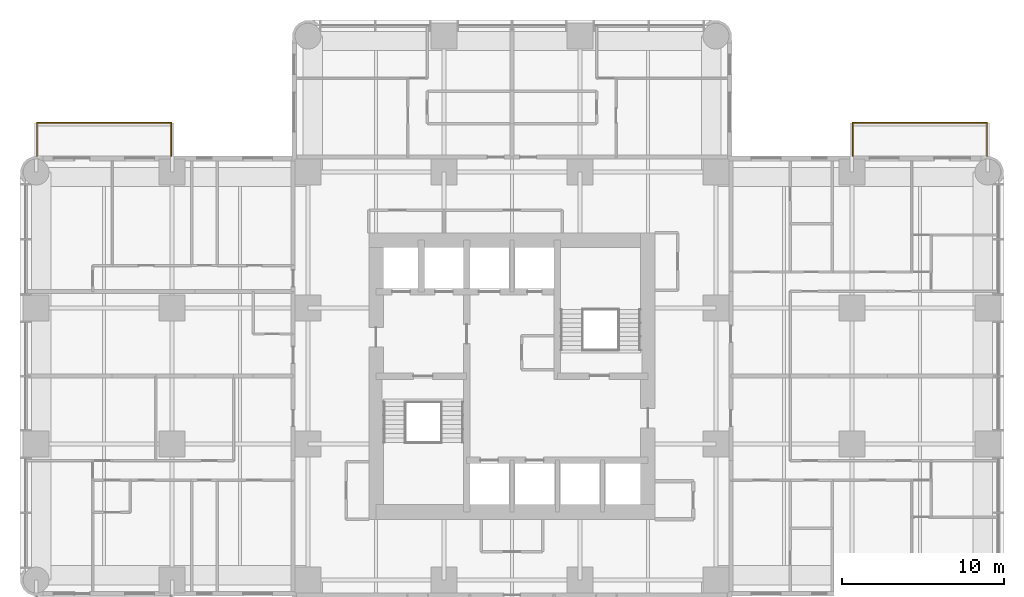
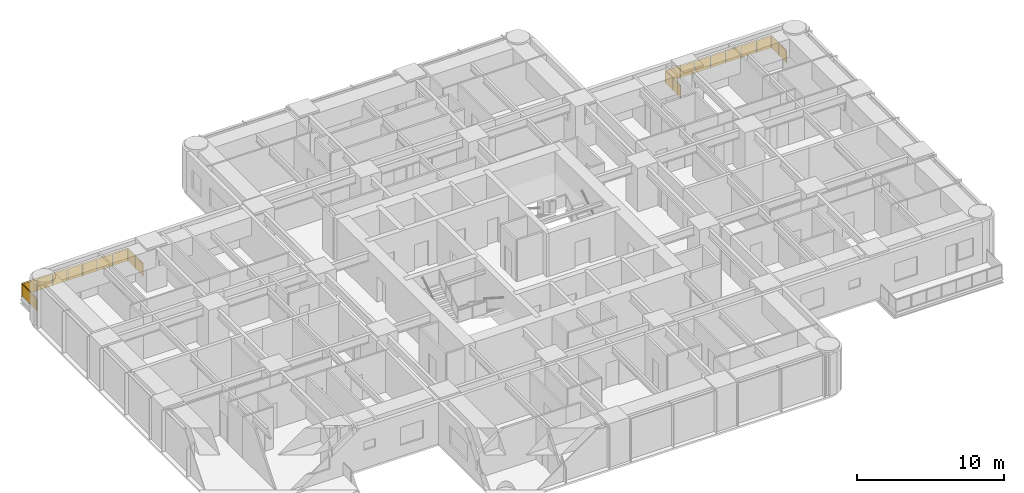
# One storey, part 15 of 15: 2 railings.
"""IFC4 building model written with IfcOpenShell, lengths in metres."""

from ifc_helpers import new_model, si_unit, direction, frame, origin, origin_2d, place, context, subcontext, project, spatial, polyline, circle, outline, extrude, material, constituent, constituent_set, type_object, element, save


model = new_model("IFC4")

# Units and contexts
model_context = context("Model", 3, precision=1e-05, world=origin(), true_north=direction((0.0, 1.0)))
body_context = subcontext(model_context, "Body", "Model", "MODEL_VIEW")
ifc_project = project(units=[si_unit("LENGTHUNIT", "METRE"), si_unit("AREAUNIT", "SQUARE_METRE"), si_unit("VOLUMEUNIT", "CUBIC_METRE"), si_unit("PLANEANGLEUNIT", "RADIAN"), si_unit("MASSUNIT", "GRAM", prefix="KILO")], contexts=[model_context])

# Site, building, storey
site_placement = place(None, origin())
site = spatial("IfcSite", under=ifc_project, at=site_placement, CompositionType="ELEMENT")
building_placement = place(site_placement, origin())
building = spatial("IfcBuilding", under=site, at=building_placement, Name="Torre Alcanfor", CompositionType="ELEMENT")
storey_placement = place(building_placement, frame((0.0, 0.0, 123.300048828125)))
storey = spatial("IfcBuildingStorey", under=building, at=storey_placement, Name="L31", CompositionType="ELEMENT", Elevation=123.300048828125)

# Railings
ifc_material_1 = material(Name="Laminated safety glass", Category="glass")
ifc_constituent_1 = constituent(ifc_material_1, Name="Infill")
ifc_material_2 = material(Name="Stainless steel ASTM A554 Grade MT 316L tube", Category="steel")
ifc_constituent_2 = constituent(ifc_material_2, Name="Posts and rail")
ifc_constituent_set = constituent_set(constituents=[ifc_constituent_1, ifc_constituent_2], Name="Balcony guard glass 1100")
railing_type = type_object("IfcRailingType", Name="Balcony guard glass 1100", PredefinedType="BALUSTRADE", material=ifc_constituent_set)
railing_1_placement = place(storey_placement, frame((50.449951171875, 43.0, 0.0)))
element("IfcRailing", 1, at=railing_1_placement, inside=storey, type_object=railing_type, Name="Balcony guard L31-E1", PredefinedType="BALUSTRADE", context=body_context, shape_type="SweptSolid", body=[
    extrude(circle(Radius=0.02392578125, at=origin_2d()), frame((0.0, 0.0, 1.076171875), z_axis=(0.0, 1.0, 0.0), x_axis=(-1.0, 0.0, 0.0)), (0.0, 0.0, 1.0), 2.050048828125),
    extrude(circle(Radius=0.02392578125, at=origin_2d()), frame((0.0, 2.050048828125, 1.076171875), z_axis=(1.0, 0.0, 0.0), x_axis=(0.0, 1.0, 0.0)), (0.0, 0.0, 1.0), 8.300048828125),
    extrude(circle(Radius=0.02392578125, at=origin_2d()), frame((8.300048828125, 2.050048828125, 1.076171875), z_axis=(0.0, -1.0, 0.0), x_axis=(1.0, 0.0, 0.0)), (0.0, 0.0, 1.0), 2.050048828125),
    extrude(circle(Radius=0.02099609375, at=origin_2d()), origin(), (0.0, 0.0, 1.0), 1.052001953125),
    extrude(circle(Radius=0.02099609375, at=origin_2d()), frame((0.0, 1.02490234375, 0.0)), (0.0, 0.0, 1.0), 1.052001953125),
    extrude(circle(Radius=0.02099609375, at=origin_2d()), frame((0.0, 2.050048828125, 0.0)), (0.0, 0.0, 1.0), 1.052001953125),
    extrude(circle(Radius=0.02099609375, at=origin_2d()), frame((1.185791015625, 2.050048828125, 0.0)), (0.0, 0.0, 1.0), 1.052001953125),
    extrude(circle(Radius=0.02099609375, at=origin_2d()), frame((2.371337890625, 2.050048828125, 0.0)), (0.0, 0.0, 1.0), 1.052001953125),
    extrude(circle(Radius=0.02099609375, at=origin_2d()), frame((3.55712890625, 2.050048828125, 0.0)), (0.0, 0.0, 1.0), 1.052001953125),
    extrude(circle(Radius=0.02099609375, at=origin_2d()), frame((4.742919921875, 2.050048828125, 0.0)), (0.0, 0.0, 1.0), 1.052001953125),
    extrude(circle(Radius=0.02099609375, at=origin_2d()), frame((5.9287109375, 2.050048828125, 0.0)), (0.0, 0.0, 1.0), 1.052001953125),
    extrude(circle(Radius=0.02099609375, at=origin_2d()), frame((7.1142578125, 2.050048828125, 0.0)), (0.0, 0.0, 1.0), 1.052001953125),
    extrude(circle(Radius=0.02099609375, at=origin_2d()), frame((8.300048828125, 2.050048828125, 0.0)), (0.0, 0.0, 1.0), 1.052001953125),
    extrude(circle(Radius=0.02099609375, at=origin_2d()), frame((8.300048828125, 1.02490234375, 0.0)), (0.0, 0.0, 1.0), 1.052001953125),
    extrude(circle(Radius=0.02099609375, at=origin_2d()), frame((8.300048828125, 0.0, 0.0)), (0.0, 0.0, 1.0), 1.052001953125),
    extrude(outline(polyline([(0.041015625, 0.050048828125), (0.984130859375, 0.050048828125), (0.984130859375, 1.001953125), (0.041015625, 1.001953125), (0.041015625, 0.050048828125)])), frame((-0.005859375, 0.0, 0.0), z_axis=(1.0, 0.0, 0.0), x_axis=(0.0, 1.0, 0.0)), (0.0, 0.0, 1.0), 0.011962890625),
    extrude(outline(polyline([(1.06591796875, 0.050048828125), (2.009033203125, 0.050048828125), (2.009033203125, 1.001953125), (1.06591796875, 1.001953125), (1.06591796875, 0.050048828125)])), frame((-0.005859375, 0.0, 0.0), z_axis=(1.0, 0.0, 0.0), x_axis=(0.0, 1.0, 0.0)), (0.0, 0.0, 1.0), 0.011962890625),
    extrude(outline(polyline([(0.041015625, 0.050048828125), (1.144775390625, 0.050048828125), (1.144775390625, 1.001953125), (0.041015625, 1.001953125), (0.041015625, 0.050048828125)])), frame((0.0, 2.05615234375, 0.0), z_axis=(0.0, -1.0, 0.0), x_axis=(1.0, 0.0, 0.0)), (0.0, 0.0, 1.0), 0.011962890625),
    extrude(outline(polyline([(1.226806640625, 0.050048828125), (2.330322265625, 0.050048828125), (2.330322265625, 1.001953125), (1.226806640625, 1.001953125), (1.226806640625, 0.050048828125)])), frame((0.0, 2.05615234375, 0.0), z_axis=(0.0, -1.0, 0.0), x_axis=(1.0, 0.0, 0.0)), (0.0, 0.0, 1.0), 0.011962890625),
    extrude(outline(polyline([(2.412353515625, 0.050048828125), (3.51611328125, 0.050048828125), (3.51611328125, 1.001953125), (2.412353515625, 1.001953125), (2.412353515625, 0.050048828125)])), frame((0.0, 2.05615234375, 0.0), z_axis=(0.0, -1.0, 0.0), x_axis=(1.0, 0.0, 0.0)), (0.0, 0.0, 1.0), 0.011962890625),
    extrude(outline(polyline([(3.59814453125, 0.050048828125), (4.701904296875, 0.050048828125), (4.701904296875, 1.001953125), (3.59814453125, 1.001953125), (3.59814453125, 0.050048828125)])), frame((0.0, 2.05615234375, 0.0), z_axis=(0.0, -1.0, 0.0), x_axis=(1.0, 0.0, 0.0)), (0.0, 0.0, 1.0), 0.011962890625),
    extrude(outline(polyline([(4.783935546875, 0.050048828125), (5.8876953125, 0.050048828125), (5.8876953125, 1.001953125), (4.783935546875, 1.001953125), (4.783935546875, 0.050048828125)])), frame((0.0, 2.05615234375, 0.0), z_axis=(0.0, -1.0, 0.0), x_axis=(1.0, 0.0, 0.0)), (0.0, 0.0, 1.0), 0.011962890625),
    extrude(outline(polyline([(5.9697265625, 0.050048828125), (7.0732421875, 0.050048828125), (7.0732421875, 1.001953125), (5.9697265625, 1.001953125), (5.9697265625, 0.050048828125)])), frame((0.0, 2.05615234375, 0.0), z_axis=(0.0, -1.0, 0.0), x_axis=(1.0, 0.0, 0.0)), (0.0, 0.0, 1.0), 0.011962890625),
    extrude(outline(polyline([(7.1552734375, 0.050048828125), (8.259033203125, 0.050048828125), (8.259033203125, 1.001953125), (7.1552734375, 1.001953125), (7.1552734375, 0.050048828125)])), frame((0.0, 2.05615234375, 0.0), z_axis=(0.0, -1.0, 0.0), x_axis=(1.0, 0.0, 0.0)), (0.0, 0.0, 1.0), 0.011962890625),
    extrude(outline(polyline([(0.041015625, 0.050048828125), (0.984130859375, 0.050048828125), (0.984130859375, 1.001953125), (0.041015625, 1.001953125), (0.041015625, 0.050048828125)])), frame((8.30615234375, 2.050048828125, 0.0), z_axis=(-1.0, 0.0, 0.0), x_axis=(0.0, -1.0, 0.0)), (0.0, 0.0, 1.0), 0.011962890625),
    extrude(outline(polyline([(1.06591796875, 0.050048828125), (2.009033203125, 0.050048828125), (2.009033203125, 1.001953125), (1.06591796875, 1.001953125), (1.06591796875, 0.050048828125)])), frame((8.30615234375, 2.050048828125, 0.0), z_axis=(-1.0, 0.0, 0.0), x_axis=(0.0, -1.0, 0.0)), (0.0, 0.0, 1.0), 0.011962890625),
])
railing_2_placement = place(storey_placement, frame((8.35009765625, 43.0, 0.0)))
element("IfcRailing", 2, at=railing_2_placement, inside=storey, type_object=railing_type, Name="Balcony guard L31-W2", PredefinedType="BALUSTRADE", context=body_context, shape_type="SweptSolid", body=[
    extrude(circle(Radius=0.02392578125, at=origin_2d()), frame((0.0, 0.0, 1.076171875), z_axis=(0.0, 1.0, 0.0), x_axis=(-1.0, 0.0, 0.0)), (0.0, 0.0, 1.0), 2.050048828125),
    extrude(circle(Radius=0.02392578125, at=origin_2d()), frame((0.0, 2.050048828125, 1.076171875), z_axis=(-1.0, 0.0, 0.0), x_axis=(0.0, -1.0, 0.0)), (0.0, 0.0, 1.0), 8.300048828125),
    extrude(circle(Radius=0.02392578125, at=origin_2d()), frame((-8.300048828125, 2.050048828125, 1.076171875), z_axis=(0.0, -1.0, 0.0), x_axis=(1.0, 0.0, 0.0)), (0.0, 0.0, 1.0), 2.050048828125),
    extrude(circle(Radius=0.02099609375, at=origin_2d()), origin(), (0.0, 0.0, 1.0), 1.052001953125),
    extrude(circle(Radius=0.02099609375, at=origin_2d()), frame((0.0, 1.02490234375, 0.0)), (0.0, 0.0, 1.0), 1.052001953125),
    extrude(circle(Radius=0.02099609375, at=origin_2d()), frame((0.0, 2.050048828125, 0.0)), (0.0, 0.0, 1.0), 1.052001953125),
    extrude(circle(Radius=0.02099609375, at=origin_2d()), frame((-1.185791015625, 2.050048828125, 0.0)), (0.0, 0.0, 1.0), 1.052001953125),
    extrude(circle(Radius=0.02099609375, at=origin_2d()), frame((-2.371337890625, 2.050048828125, 0.0)), (0.0, 0.0, 1.0), 1.052001953125),
    extrude(circle(Radius=0.02099609375, at=origin_2d()), frame((-3.55712890625, 2.050048828125, 0.0)), (0.0, 0.0, 1.0), 1.052001953125),
    extrude(circle(Radius=0.02099609375, at=origin_2d()), frame((-4.742919921875, 2.050048828125, 0.0)), (0.0, 0.0, 1.0), 1.052001953125),
    extrude(circle(Radius=0.02099609375, at=origin_2d()), frame((-5.9287109375, 2.050048828125, 0.0)), (0.0, 0.0, 1.0), 1.052001953125),
    extrude(circle(Radius=0.02099609375, at=origin_2d()), frame((-7.1142578125, 2.050048828125, 0.0)), (0.0, 0.0, 1.0), 1.052001953125),
    extrude(circle(Radius=0.02099609375, at=origin_2d()), frame((-8.300048828125, 2.050048828125, 0.0)), (0.0, 0.0, 1.0), 1.052001953125),
    extrude(circle(Radius=0.02099609375, at=origin_2d()), frame((-8.300048828125, 1.02490234375, 0.0)), (0.0, 0.0, 1.0), 1.052001953125),
    extrude(circle(Radius=0.02099609375, at=origin_2d()), frame((-8.300048828125, 0.0, 0.0)), (0.0, 0.0, 1.0), 1.052001953125),
    extrude(outline(polyline([(0.041015625, 0.050048828125), (0.984130859375, 0.050048828125), (0.984130859375, 1.001953125), (0.041015625, 1.001953125), (0.041015625, 0.050048828125)])), frame((-0.005859375, 0.0, 0.0), z_axis=(1.0, 0.0, 0.0), x_axis=(0.0, 1.0, 0.0)), (0.0, 0.0, 1.0), 0.011962890625),
    extrude(outline(polyline([(1.06591796875, 0.050048828125), (2.009033203125, 0.050048828125), (2.009033203125, 1.001953125), (1.06591796875, 1.001953125), (1.06591796875, 0.050048828125)])), frame((-0.005859375, 0.0, 0.0), z_axis=(1.0, 0.0, 0.0), x_axis=(0.0, 1.0, 0.0)), (0.0, 0.0, 1.0), 0.011962890625),
    extrude(outline(polyline([(0.041015625, 0.050048828125), (1.144775390625, 0.050048828125), (1.144775390625, 1.001953125), (0.041015625, 1.001953125), (0.041015625, 0.050048828125)])), frame((0.0, 2.0439453125, 0.0), z_axis=(0.0, 1.0, 0.0), x_axis=(-1.0, 0.0, 0.0)), (0.0, 0.0, 1.0), 0.011962890625),
    extrude(outline(polyline([(1.226806640625, 0.050048828125), (2.330322265625, 0.050048828125), (2.330322265625, 1.001953125), (1.226806640625, 1.001953125), (1.226806640625, 0.050048828125)])), frame((0.0, 2.0439453125, 0.0), z_axis=(0.0, 1.0, 0.0), x_axis=(-1.0, 0.0, 0.0)), (0.0, 0.0, 1.0), 0.011962890625),
    extrude(outline(polyline([(2.412353515625, 0.050048828125), (3.51611328125, 0.050048828125), (3.51611328125, 1.001953125), (2.412353515625, 1.001953125), (2.412353515625, 0.050048828125)])), frame((0.0, 2.0439453125, 0.0), z_axis=(0.0, 1.0, 0.0), x_axis=(-1.0, 0.0, 0.0)), (0.0, 0.0, 1.0), 0.011962890625),
    extrude(outline(polyline([(3.59814453125, 0.050048828125), (4.701904296875, 0.050048828125), (4.701904296875, 1.001953125), (3.59814453125, 1.001953125), (3.59814453125, 0.050048828125)])), frame((0.0, 2.0439453125, 0.0), z_axis=(0.0, 1.0, 0.0), x_axis=(-1.0, 0.0, 0.0)), (0.0, 0.0, 1.0), 0.011962890625),
    extrude(outline(polyline([(4.783935546875, 0.050048828125), (5.8876953125, 0.050048828125), (5.8876953125, 1.001953125), (4.783935546875, 1.001953125), (4.783935546875, 0.050048828125)])), frame((0.0, 2.0439453125, 0.0), z_axis=(0.0, 1.0, 0.0), x_axis=(-1.0, 0.0, 0.0)), (0.0, 0.0, 1.0), 0.011962890625),
    extrude(outline(polyline([(5.9697265625, 0.050048828125), (7.0732421875, 0.050048828125), (7.0732421875, 1.001953125), (5.9697265625, 1.001953125), (5.9697265625, 0.050048828125)])), frame((0.0, 2.0439453125, 0.0), z_axis=(0.0, 1.0, 0.0), x_axis=(-1.0, 0.0, 0.0)), (0.0, 0.0, 1.0), 0.011962890625),
    extrude(outline(polyline([(7.1552734375, 0.050048828125), (8.259033203125, 0.050048828125), (8.259033203125, 1.001953125), (7.1552734375, 1.001953125), (7.1552734375, 0.050048828125)])), frame((0.0, 2.0439453125, 0.0), z_axis=(0.0, 1.0, 0.0), x_axis=(-1.0, 0.0, 0.0)), (0.0, 0.0, 1.0), 0.011962890625),
    extrude(outline(polyline([(0.041015625, 0.050048828125), (0.984130859375, 0.050048828125), (0.984130859375, 1.001953125), (0.041015625, 1.001953125), (0.041015625, 0.050048828125)])), frame((-8.2939453125, 2.050048828125, 0.0), z_axis=(-1.0, 0.0, 0.0), x_axis=(0.0, -1.0, 0.0)), (0.0, 0.0, 1.0), 0.011962890625),
    extrude(outline(polyline([(1.06591796875, 0.050048828125), (2.009033203125, 0.050048828125), (2.009033203125, 1.001953125), (1.06591796875, 1.001953125), (1.06591796875, 0.050048828125)])), frame((-8.2939453125, 2.050048828125, 0.0), z_axis=(-1.0, 0.0, 0.0), x_axis=(0.0, -1.0, 0.0)), (0.0, 0.0, 1.0), 0.011962890625),
])

save(model, "model.ifc")
